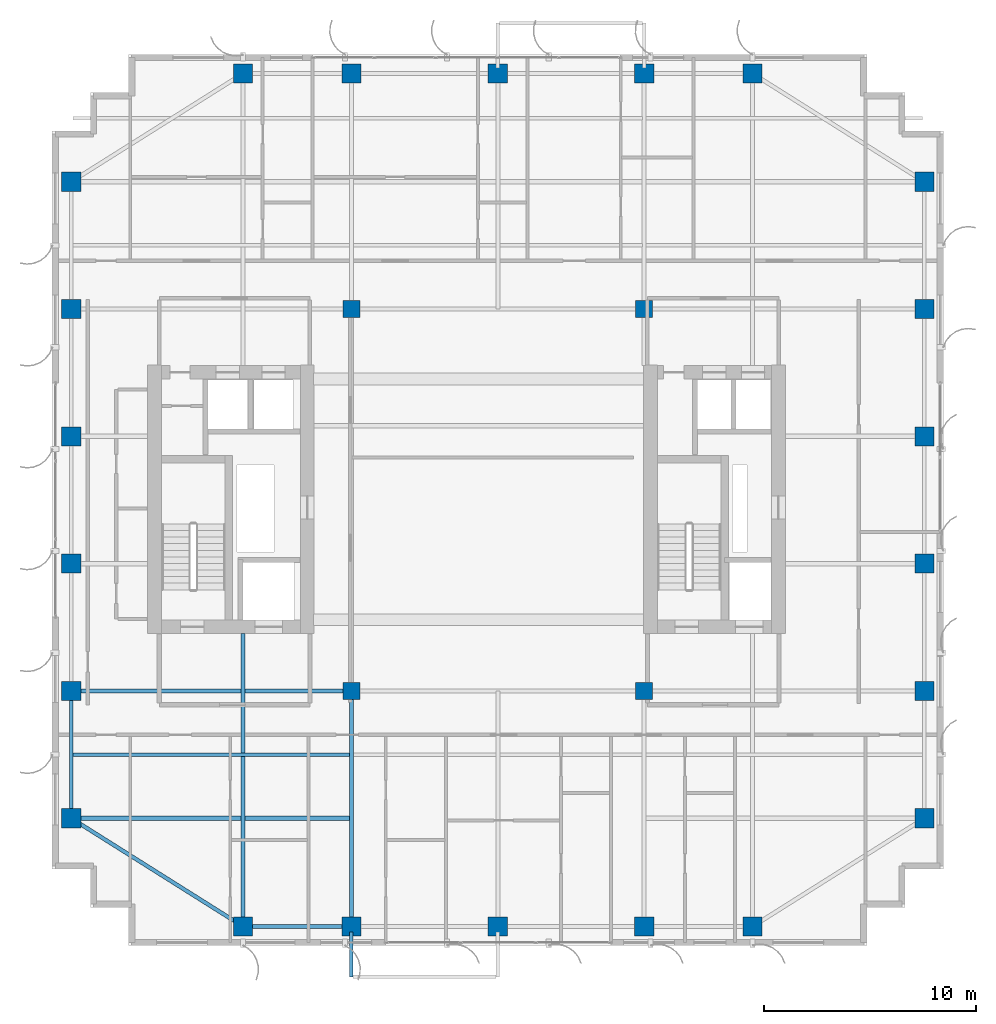
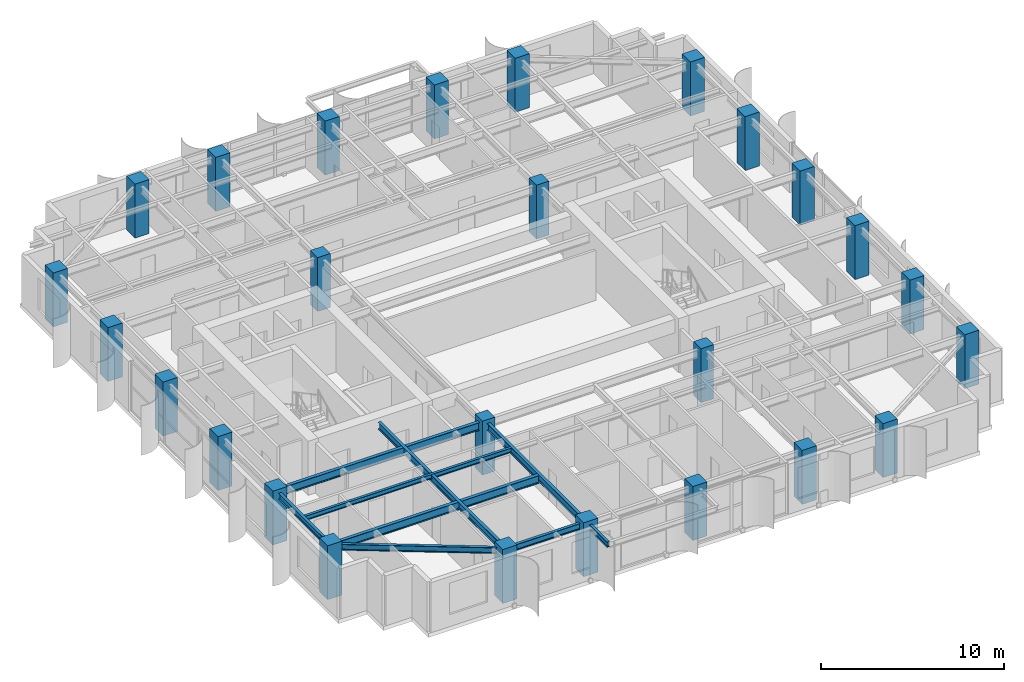
# One storey, part 1 of 23: 26 columns, 9 beams.
"""IFC4 building model written with IfcOpenShell, lengths in metres."""

from ifc_helpers import new_model, si_unit, direction, frame, origin, origin_2d, place, context, subcontext, project, spatial, rectangle, i_section, extrude, source, transform, mapped, material, material_profile, profile_set, type_object, element, save


model = new_model("IFC4")

# Units and contexts
model_context = context("Model", 3, precision=1e-05, world=origin(), true_north=direction((0.0, 1.0)))
body_context = subcontext(model_context, "Body", "Model", "MODEL_VIEW")
ifc_project = project(units=[si_unit("LENGTHUNIT", "METRE"), si_unit("AREAUNIT", "SQUARE_METRE"), si_unit("VOLUMEUNIT", "CUBIC_METRE"), si_unit("PLANEANGLEUNIT", "RADIAN"), si_unit("MASSUNIT", "GRAM", prefix="KILO")], contexts=[model_context])

# Site, building, storey
site_placement = place(None, origin())
site = spatial("IfcSite", under=ifc_project, at=site_placement, CompositionType="ELEMENT")
building_placement = place(site_placement, origin())
building = spatial("IfcBuilding", under=site, at=building_placement, Name="Khoralis Quay Care Tower", CompositionType="ELEMENT")
storey_placement = place(building_placement, frame((0.0, 0.0, 173.699951171875)))
storey = spatial("IfcBuildingStorey", under=building, at=storey_placement, Name="L45", CompositionType="ELEMENT", Elevation=173.699951171875)

# Columns
ifc_material_1 = material(Name="Concrete C65/80", Category="concrete")
ifc_material_profile_1 = material_profile(ifc_material_1, rectangle(XDim=0.89990234375, YDim=0.89990234375, at=origin_2d()), Name="Concrete C65/80")
ifc_profile_set_1 = profile_set([ifc_material_profile_1], Name="Concrete C65/80")
column_type_1 = type_object("IfcColumnType", Name="COL-C900", PredefinedType="COLUMN", material=ifc_profile_set_1)
shared_shape_1 = source(origin(), body_context, "Body", "SweptSolid", [
    extrude(rectangle(XDim=0.89990234375, YDim=0.89990234375, at=origin_2d()), origin(), (0.0, 0.0, 1.0), 3.60009765625),
])
for number, where, z_axis, x_axis, name in (
    (1, (12.0, 0.89990234375, 0.0), (0.0, 0.0, 1.0), (1.0, 0.0, 0.0), "COL-TWR-L45-01"),
    (2, (12.0, 41.10009765625, 0.0), (0.0, 0.0, 1.0), (1.0, 0.0, 0.0), "COL-TWR-L45-02"),
    (3, (17.10009765625, 0.89990234375, 0.0), (0.0, 0.0, 1.0), (1.0, 0.0, 0.0), "COL-TWR-L45-03"),
    (4, (17.10009765625, 41.10009765625, 0.0), (0.0, 0.0, 1.0), (1.0, 0.0, 0.0), "COL-TWR-L45-04"),
    (5, (24.0, 0.89990234375, 0.0), (0.0, 0.0, 1.0), (1.0, 0.0, 0.0), "COL-TWR-L45-05"),
    (6, (24.0, 41.10009765625, 0.0), (0.0, 0.0, 1.0), (1.0, 0.0, 0.0), "COL-TWR-L45-06"),
    (7, (30.89990234375, 0.89990234375, 0.0), (0.0, 0.0, 1.0), (1.0, 0.0, 0.0), "COL-TWR-L45-07"),
    (8, (30.89990234375, 41.10009765625, 0.0), (0.0, 0.0, 1.0), (1.0, 0.0, 0.0), "COL-TWR-L45-08"),
    (9, (36.0, 0.89990234375, 0.0), (0.0, 0.0, 1.0), (1.0, 0.0, 0.0), "COL-TWR-L45-09"),
    (10, (36.0, 41.10009765625, 0.0), (0.0, 0.0, 1.0), (1.0, 0.0, 0.0), "COL-TWR-L45-10"),
    (11, (3.89990234375, 6.0, 0.0), (0.0, 0.0, 1.0), (1.0, 0.0, 0.0), "COL-TWR-L45-11"),
    (12, (44.10009765625, 6.0, 0.0), (0.0, 0.0, 1.0), (1.0, 0.0, 0.0), "COL-TWR-L45-12"),
    (13, (3.89990234375, 12.0, 0.0), (0.0, 0.0, 1.0), (1.0, 0.0, 0.0), "COL-TWR-L45-13"),
    (14, (44.10009765625, 12.0, 0.0), (0.0, 0.0, 1.0), (1.0, 0.0, 0.0), "COL-TWR-L45-14"),
    (15, (3.89990234375, 18.0, 0.0), (0.0, 0.0, 1.0), (1.0, 0.0, 0.0), "COL-TWR-L45-15"),
    (16, (44.10009765625, 18.0, 0.0), (0.0, 0.0, 1.0), (1.0, 0.0, 0.0), "COL-TWR-L45-16"),
    (17, (3.89990234375, 24.0, 0.0), (0.0, 0.0, 1.0), (1.0, 0.0, 0.0), "COL-TWR-L45-17"),
    (18, (44.10009765625, 24.0, 0.0), (0.0, 0.0, 1.0), (1.0, 0.0, 0.0), "COL-TWR-L45-18"),
    (19, (3.89990234375, 30.0, 0.0), (0.0, 0.0, 1.0), (1.0, 0.0, 0.0), "COL-TWR-L45-19"),
    (20, (44.10009765625, 30.0, 0.0), (0.0, 0.0, 1.0), (1.0, 0.0, 0.0), "COL-TWR-L45-20"),
    (21, (3.89990234375, 36.0, 0.0), (0.0, 0.0, 1.0), (1.0, 0.0, 0.0), "COL-TWR-L45-21"),
    (22, (44.10009765625, 36.0, 0.0), (0.0, 0.0, 1.0), (1.0, 0.0, 0.0), "COL-TWR-L45-22"),
):
    element("IfcColumn", number, at=place(storey_placement, frame(where, z_axis=z_axis, x_axis=x_axis)), inside=storey, type_object=column_type_1, Name=name, PredefinedType="COLUMN", context=body_context, shape_type="MappedRepresentation", body=[
        mapped(shared_shape_1, transform((0.0, 0.0, 0.0), scale=1.0)),
    ])
ifc_material_2 = material(Name="Concrete C50/60", Category="concrete")
ifc_material_profile_2 = material_profile(ifc_material_2, rectangle(XDim=0.800048828125, YDim=0.800048828125, at=origin_2d()), Name="Concrete C50/60")
ifc_profile_set_2 = profile_set([ifc_material_profile_2], Name="Concrete C50/60")
column_type_2 = type_object("IfcColumnType", Name="COL-C800", PredefinedType="COLUMN", material=ifc_profile_set_2)
shared_shape_2 = source(origin(), body_context, "Body", "SweptSolid", [
    extrude(rectangle(XDim=0.800048828125, YDim=0.800048828125, at=origin_2d()), origin(), (0.0, 0.0, 1.0), 3.60009765625),
])
for number, where, z_axis, x_axis, name in (
    (23, (17.10009765625, 12.0, 0.0), (0.0, 0.0, 1.0), (1.0, 0.0, 0.0), "COL-TWR-L45-23"),
    (24, (17.10009765625, 30.0, 0.0), (0.0, 0.0, 1.0), (1.0, 0.0, 0.0), "COL-TWR-L45-24"),
    (25, (30.89990234375, 12.0, 0.0), (0.0, 0.0, 1.0), (1.0, 0.0, 0.0), "COL-TWR-L45-25"),
    (26, (30.89990234375, 30.0, 0.0), (0.0, 0.0, 1.0), (1.0, 0.0, 0.0), "COL-TWR-L45-26"),
):
    element("IfcColumn", number, at=place(storey_placement, frame(where, z_axis=z_axis, x_axis=x_axis)), inside=storey, type_object=column_type_2, Name=name, PredefinedType="COLUMN", context=body_context, shape_type="MappedRepresentation", body=[
        mapped(shared_shape_2, transform((0.0, 0.0, 0.0), scale=1.0)),
    ])

# Beams
ifc_material_3 = material(Name="Steel S355", Category="steel")
ifc_material_profile_3 = material_profile(ifc_material_3, i_section(OverallWidth=0.179931640625, OverallDepth=0.39990234375, WebThickness=0.008544921875, FlangeThickness=0.013427734375, FilletRadius=0.02099609375, at=origin_2d()), Name="Steel S355")
ifc_profile_set_3 = profile_set([ifc_material_profile_3], Name="Steel S355")
beam_type_1 = type_object("IfcBeamType", Name="BM-IPE400", PredefinedType="SPANDREL", material=ifc_profile_set_3)
shared_shape_3 = source(origin(), body_context, "Body", "SweptSolid", [
    extrude(i_section(OverallWidth=0.179931640625, OverallDepth=0.39990234375, WebThickness=0.008544921875, FlangeThickness=0.013427734375, FilletRadius=0.02099609375, at=origin_2d()), origin(), (0.0, 0.0, 1.0), 6.0),
])
beam_1_placement = place(storey_placement, frame((3.89990234375, 6.0, 3.14013671875), z_axis=(0.0, 1.0, 0.0), x_axis=(-1.0, 0.0, 0.0)))
element("IfcBeam", 27, at=beam_1_placement, inside=storey, type_object=beam_type_1, Name="BM-TSP-L45-09", PredefinedType="SPANDREL", context=body_context, shape_type="MappedRepresentation", body=[
    mapped(shared_shape_3, transform((0.0, 0.0, 0.0), scale=1.0)),
])
shared_shape_4 = source(origin(), body_context, "Body", "SweptSolid", [
    extrude(i_section(OverallWidth=0.179931640625, OverallDepth=0.39990234375, WebThickness=0.008544921875, FlangeThickness=0.013427734375, FilletRadius=0.02099609375, at=origin_2d()), origin(), (0.0, 0.0, 1.0), 5.10009765625),
])
beam_2_placement = place(storey_placement, frame((12.0, 0.89990234375, 3.14013671875), z_axis=(1.0, 0.0, 0.0), x_axis=(0.0, 1.0, 0.0)))
element("IfcBeam", 28, at=beam_2_placement, inside=storey, type_object=beam_type_1, Name="BM-TSP-L45-01", PredefinedType="SPANDREL", context=body_context, shape_type="MappedRepresentation", body=[
    mapped(shared_shape_4, transform((0.0, 0.0, 0.0), scale=1.0)),
])
shared_shape_5 = source(origin(), body_context, "Body", "SweptSolid", [
    extrude(i_section(OverallWidth=0.179931640625, OverallDepth=0.39990234375, WebThickness=0.008544921875, FlangeThickness=0.013427734375, FilletRadius=0.02099609375, at=origin_2d()), origin(), (0.0, 0.0, 1.0), 9.572021484375),
])
beam_3_placement = place(storey_placement, frame((12.0, 0.89990234375, 3.14013671875), z_axis=(-0.846231136359, 0.532815975602, 0.0), x_axis=(-0.532815975602, -0.846231136359, 0.0)))
element("IfcBeam", 29, at=beam_3_placement, inside=storey, type_object=beam_type_1, Name="BM-TCR-L45-19", PredefinedType="SPANDREL", context=body_context, shape_type="MappedRepresentation", body=[
    mapped(shared_shape_5, transform((0.0, 0.0, 0.0), scale=1.0)),
])
ifc_material_profile_4 = material_profile(ifc_material_3, i_section(OverallWidth=0.208984375, OverallDepth=0.532958984375, WebThickness=0.01025390625, FlangeThickness=0.015625, FilletRadius=0.01611328125, at=origin_2d()), Name="Steel S355")
ifc_profile_set_4 = profile_set([ifc_material_profile_4], Name="Steel S355")
beam_type_2 = type_object("IfcBeamType", Name="BM-W530X92", PredefinedType="BEAM", material=ifc_profile_set_4)
shared_shape_6 = source(origin(), body_context, "Body", "SweptSolid", [
    extrude(i_section(OverallWidth=0.208984375, OverallDepth=0.532958984375, WebThickness=0.01025390625, FlangeThickness=0.015625, FilletRadius=0.01611328125, at=origin_2d()), origin(), (0.0, 0.0, 1.0), 13.1162109375),
])
beam_4_placement = place(storey_placement, frame((3.89990234375, 6.0, 3.073486328125), z_axis=(1.0, 0.0, 0.0), x_axis=(0.0, 1.0, 0.0)))
element("IfcBeam", 30, at=beam_4_placement, inside=storey, type_object=beam_type_2, Name="BM-TGXW-L45-60", PredefinedType="BEAM", context=body_context, shape_type="MappedRepresentation", body=[
    mapped(shared_shape_6, transform((0.0, 0.0, 0.0), scale=1.0)),
])
shared_shape_7 = source(origin(), body_context, "Body", "SweptSolid", [
    extrude(i_section(OverallWidth=0.208984375, OverallDepth=0.532958984375, WebThickness=0.01025390625, FlangeThickness=0.015625, FilletRadius=0.01611328125, at=origin_2d()), origin(), (0.0, 0.0, 1.0), 13.2001953125),
])
beam_5_placement = place(storey_placement, frame((3.89990234375, 12.0, 3.073486328125), z_axis=(1.0, 0.0, 0.0), x_axis=(0.0, 1.0, 0.0)))
element("IfcBeam", 31, at=beam_5_placement, inside=storey, type_object=beam_type_2, Name="BM-TGXW-L45-120", PredefinedType="BEAM", context=body_context, shape_type="MappedRepresentation", body=[
    mapped(shared_shape_7, transform((0.0, 0.0, 0.0), scale=1.0)),
])
ifc_material_profile_5 = material_profile(ifc_material_3, i_section(OverallWidth=0.19189453125, OverallDepth=0.462890625, WebThickness=0.010498046875, FlangeThickness=0.017578125, FilletRadius=0.014892578125, at=origin_2d()), Name="Steel S355")
ifc_profile_set_5 = profile_set([ifc_material_profile_5], Name="Steel S355")
beam_type_3 = type_object("IfcBeamType", Name="BM-W460X89", PredefinedType="BEAM", material=ifc_profile_set_5)
shared_shape_8 = source(origin(), body_context, "Body", "SweptSolid", [
    extrude(i_section(OverallWidth=0.19189453125, OverallDepth=0.462890625, WebThickness=0.010498046875, FlangeThickness=0.017578125, FilletRadius=0.014892578125, at=origin_2d()), origin(), (0.0, 0.0, 1.0), 13.802001953125),
])
beam_6_placement = place(storey_placement, frame((12.0, 0.89990234375, 3.108642578125), z_axis=(0.0, 1.0, 0.0), x_axis=(-1.0, 0.0, 0.0)))
element("IfcBeam", 32, at=beam_6_placement, inside=storey, type_object=beam_type_3, Name="BM-TGYS-L45-120", PredefinedType="BEAM", context=body_context, shape_type="MappedRepresentation", body=[
    mapped(shared_shape_8, transform((0.0, 0.0, 0.0), scale=1.0)),
])
shared_shape_9 = source(origin(), body_context, "Body", "SweptSolid", [
    extrude(i_section(OverallWidth=0.19189453125, OverallDepth=0.462890625, WebThickness=0.010498046875, FlangeThickness=0.017578125, FilletRadius=0.014892578125, at=origin_2d()), origin(), (0.0, 0.0, 1.0), 11.10009765625),
])
beam_7_placement = place(storey_placement, frame((17.10009765625, 0.89990234375, 3.108642578125), z_axis=(0.0, 1.0, 0.0), x_axis=(-1.0, 0.0, 0.0)))
element("IfcBeam", 33, at=beam_7_placement, inside=storey, type_object=beam_type_3, Name="BM-TGYS-L45-171", PredefinedType="BEAM", context=body_context, shape_type="MappedRepresentation", body=[
    mapped(shared_shape_9, transform((0.0, 0.0, 0.0), scale=1.0)),
])
ifc_material_profile_6 = material_profile(ifc_material_3, i_section(OverallWidth=0.1650390625, OverallDepth=0.31005859375, WebThickness=0.005859375, FlangeThickness=0.009765625, FilletRadius=0.011962890625, at=origin_2d()), Name="Steel S355")
ifc_profile_set_6 = profile_set([ifc_material_profile_6], Name="Steel S355")
beam_type_4 = type_object("IfcBeamType", Name="BM-W310X39", PredefinedType="JOIST", material=ifc_profile_set_6)
shared_shape_10 = source(origin(), body_context, "Body", "SweptSolid", [
    extrude(i_section(OverallWidth=0.1650390625, OverallDepth=0.31005859375, WebThickness=0.005859375, FlangeThickness=0.009765625, FilletRadius=0.011962890625, at=origin_2d()), origin(), (0.0, 0.0, 1.0), 13.0400390625),
])
beam_8_placement = place(storey_placement, frame((3.97607421875, 9.0, 3.18505859375), z_axis=(1.0, 0.0, 0.0), x_axis=(0.0, 1.0, 0.0)))
element("IfcBeam", 34, at=beam_8_placement, inside=storey, type_object=beam_type_4, Name="BM-TJS-L45-23", PredefinedType="JOIST", context=body_context, shape_type="MappedRepresentation", body=[
    mapped(shared_shape_10, transform((0.0, 0.0, 0.0), scale=1.0)),
])
ifc_material_profile_7 = material_profile(ifc_material_3, i_section(OverallWidth=0.169921875, OverallDepth=0.360107421875, WebThickness=0.008056640625, FlangeThickness=0.0126953125, FilletRadius=0.01806640625, at=origin_2d()), Name="Steel S355")
ifc_profile_set_7 = profile_set([ifc_material_profile_7], Name="Steel S355")
beam_type_5 = type_object("IfcBeamType", Name="BM-IPE360", PredefinedType="SPANDREL", material=ifc_profile_set_7)
shared_shape_11 = source(origin(), body_context, "Body", "SweptSolid", [
    extrude(i_section(OverallWidth=0.169921875, OverallDepth=0.360107421875, WebThickness=0.008056640625, FlangeThickness=0.0126953125, FilletRadius=0.01806640625, at=origin_2d()), origin(), (0.0, 0.0, 1.0), 2.119873046875),
])
beam_9_placement = place(storey_placement, frame((17.10009765625, 0.64990234375, 3.1640625), z_axis=(0.0, -1.0, 0.0), x_axis=(1.0, 0.0, 0.0)))
element("IfcBeam", 35, at=beam_9_placement, inside=storey, type_object=beam_type_5, Name="L46 Balcony Cantilever Outrigger Beam 1", PredefinedType="SPANDREL", context=body_context, shape_type="MappedRepresentation", body=[
    mapped(shared_shape_11, transform((0.0, 0.0, 0.0), scale=1.0)),
])

save(model, "model.ifc")
